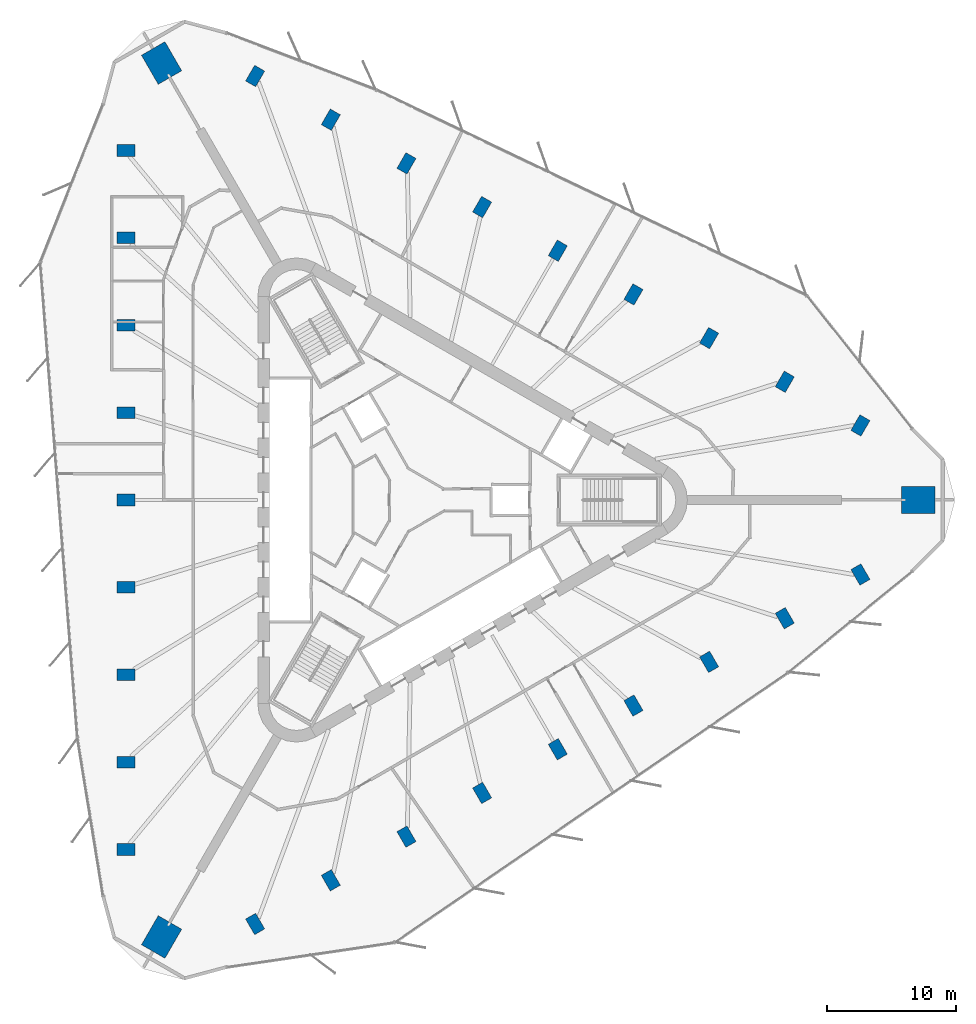
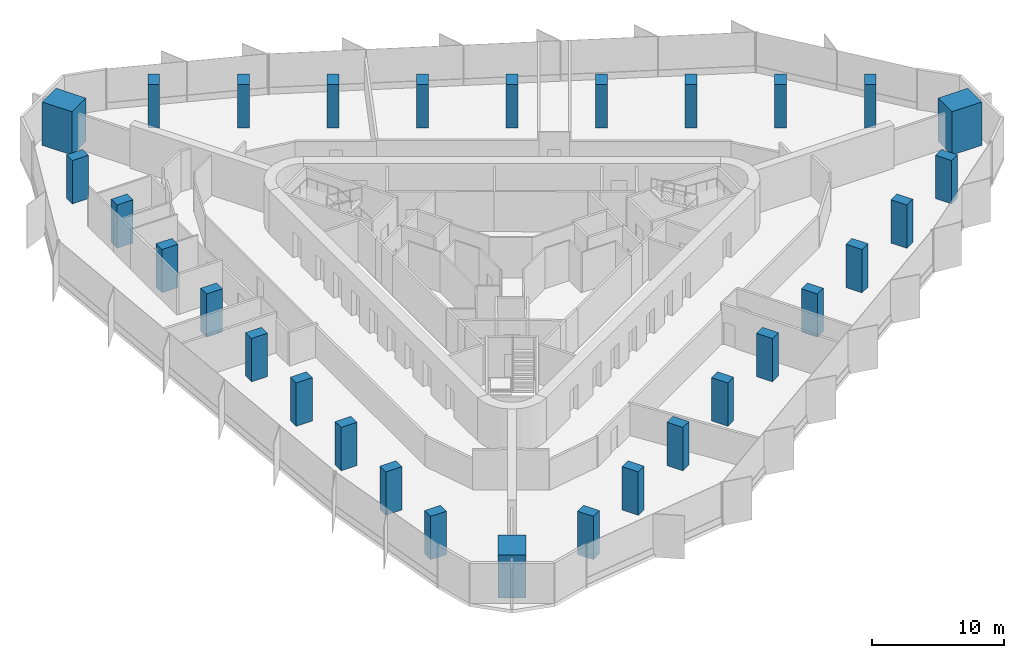
# One storey, part 1 of 13: 30 columns.
"""IFC4 building model written with IfcOpenShell, lengths in metres."""

from ifc_helpers import new_model, si_unit, direction, frame, origin, origin_2d, place, context, subcontext, project, spatial, rectangle, extrude, material, material_profile, profile_set, type_object, element, save


model = new_model("IFC4")

# Units and contexts
model_context = context("Model", 3, precision=1e-05, world=origin(), true_north=direction((0.0, 1.0)))
body_context = subcontext(model_context, "Body", "Model", "MODEL_VIEW")
ifc_project = project(units=[si_unit("LENGTHUNIT", "METRE"), si_unit("AREAUNIT", "SQUARE_METRE"), si_unit("VOLUMEUNIT", "CUBIC_METRE"), si_unit("PLANEANGLEUNIT", "RADIAN"), si_unit("MASSUNIT", "GRAM", prefix="KILO")], contexts=[model_context])

# Site, building, storey
site_placement = place(None, origin())
site = spatial("IfcSite", under=ifc_project, at=site_placement, CompositionType="ELEMENT")
building_placement = place(site_placement, origin())
building = spatial("IfcBuilding", under=site, at=building_placement, Name="Tanit Gate Tower", CompositionType="ELEMENT")
storey_placement = place(building_placement, frame((0.0, 0.0, 193.199951171875)))
storey = spatial("IfcBuildingStorey", under=building, at=storey_placement, Name="L42", CompositionType="ELEMENT", Elevation=193.199951171875)

# Columns
ifc_material_1 = material(Name="Concrete C60/75", Category="concrete")
ifc_material_profile_1 = material_profile(ifc_material_1, rectangle(XDim=2.60009765625, YDim=2.10009765625, at=origin_2d()), Name="RC 2600x2100")
ifc_profile_set_1 = profile_set([ifc_material_profile_1], Name="Concrete C60/75")
column_type_1 = type_object("IfcColumnType", Name="MEGA COLUMN 2600x2100 C60/75", PredefinedType="COLUMN", material=ifc_profile_set_1)
for number, where, z_axis, x_axis, name in (
    (1, (39.106689453125, 0.0, 0.0), (0.0, 0.0, 1.0), (1.0, 0.0, 0.0), "MEGA COLUMN"),
    (2, (-19.553466796875, 33.867431640625, 0.0), (0.0, 0.0, 1.0), (-0.5, 0.866025403784, 0.0), "MEGA COLUMN"),
    (3, (-19.553466796875, -33.867431640625, 0.0), (0.0, 0.0, 1.0), (-0.5, -0.866025403784, 0.0), "MEGA COLUMN"),
):
    element("IfcColumn", number, at=place(storey_placement, frame(where, z_axis=z_axis, x_axis=x_axis)), inside=storey, type_object=column_type_1, Name=name, PredefinedType="COLUMN", context=body_context, shape_type="SweptSolid", body=[
        extrude(rectangle(XDim=2.60009765625, YDim=2.10009765625, at=origin_2d()), origin(), (0.0, 0.0, 1.0), 4.0),
    ])
ifc_material_2 = material(Name="Concrete C50/60", Category="concrete")
ifc_material_profile_2 = material_profile(ifc_material_2, rectangle(XDim=1.39990234375, YDim=0.89990234375, at=origin_2d()), Name="RC 1400x900")
ifc_profile_set_2 = profile_set([ifc_material_profile_2], Name="Concrete C50/60")
column_type_2 = type_object("IfcColumnType", Name="PERIMETER COLUMN 1400x900 C50/60", PredefinedType="COLUMN", material=ifc_profile_set_2)
for number, where, z_axis, x_axis, name in (
    (4, (-22.305908203125, 27.083984375, 0.0), (0.0, 0.0, 1.0), (-1.0, 0.0, 0.0), "PERIMETER COLUMN"),
    (5, (-22.305908203125, 20.31298828125, 0.0), (0.0, 0.0, 1.0), (-1.0, 0.0, 0.0), "PERIMETER COLUMN"),
    (6, (-22.305908203125, 13.5419921875, 0.0), (0.0, 0.0, 1.0), (-1.0, 0.0, 0.0), "PERIMETER COLUMN"),
    (7, (-22.305908203125, 6.77099609375, 0.0), (0.0, 0.0, 1.0), (-1.0, 0.0, 0.0), "PERIMETER COLUMN"),
    (8, (-22.305908203125, 0.0, 0.0), (0.0, 0.0, 1.0), (-1.0, 0.0, 0.0), "PERIMETER COLUMN"),
    (9, (-22.305908203125, -6.77099609375, 0.0), (0.0, 0.0, 1.0), (-1.0, 0.0, 0.0), "PERIMETER COLUMN"),
    (10, (-22.305908203125, -13.5419921875, 0.0), (0.0, 0.0, 1.0), (-1.0, 0.0, 0.0), "PERIMETER COLUMN"),
    (11, (-22.305908203125, -20.31298828125, 0.0), (0.0, 0.0, 1.0), (-1.0, 0.0, 0.0), "PERIMETER COLUMN"),
    (12, (-22.305908203125, -27.083984375, 0.0), (0.0, 0.0, 1.0), (-1.0, 0.0, 0.0), "PERIMETER COLUMN"),
    (13, (34.6083984375, 5.775390625, 0.0), (0.0, 0.0, 1.0), (0.5, 0.866025403784, 0.0), "PERIMETER COLUMN"),
    (14, (28.744384765625, 9.160888671875, 0.0), (0.0, 0.0, 1.0), (0.5, 0.866025403784, 0.0), "PERIMETER COLUMN"),
    (15, (22.880615234375, 12.54638671875, 0.0), (0.0, 0.0, 1.0), (0.5, 0.866025403784, 0.0), "PERIMETER COLUMN"),
    (16, (17.016845703125, 15.931884765625, 0.0), (0.0, 0.0, 1.0), (0.5, 0.866025403784, 0.0), "PERIMETER COLUMN"),
    (17, (11.15283203125, 19.3173828125, 0.0), (0.0, 0.0, 1.0), (0.5, 0.866025403784, 0.0), "PERIMETER COLUMN"),
    (18, (5.2890625, 22.702880859375, 0.0), (0.0, 0.0, 1.0), (0.5, 0.866025403784, 0.0), "PERIMETER COLUMN"),
    (19, (-0.57470703125, 26.08837890625, 0.0), (0.0, 0.0, 1.0), (0.5, 0.866025403784, 0.0), "PERIMETER COLUMN"),
    (20, (-6.438720703125, 29.473876953125, 0.0), (0.0, 0.0, 1.0), (0.5, 0.866025403784, 0.0), "PERIMETER COLUMN"),
    (21, (-12.302490234375, 32.859375, 0.0), (0.0, 0.0, 1.0), (0.5, 0.866025403784, 0.0), "PERIMETER COLUMN"),
    (22, (-12.302490234375, -32.859375, 0.0), (0.0, 0.0, 1.0), (0.5, -0.866025403784, 0.0), "PERIMETER COLUMN"),
    (23, (-6.438720703125, -29.473876953125, 0.0), (0.0, 0.0, 1.0), (0.5, -0.866025403784, 0.0), "PERIMETER COLUMN"),
    (24, (-0.57470703125, -26.08837890625, 0.0), (0.0, 0.0, 1.0), (0.5, -0.866025403784, 0.0), "PERIMETER COLUMN"),
    (25, (5.2890625, -22.702880859375, 0.0), (0.0, 0.0, 1.0), (0.5, -0.866025403784, 0.0), "PERIMETER COLUMN"),
    (26, (11.15283203125, -19.3173828125, 0.0), (0.0, 0.0, 1.0), (0.5, -0.866025403784, 0.0), "PERIMETER COLUMN"),
    (27, (17.016845703125, -15.931884765625, 0.0), (0.0, 0.0, 1.0), (0.5, -0.866025403784, 0.0), "PERIMETER COLUMN"),
    (28, (22.880615234375, -12.54638671875, 0.0), (0.0, 0.0, 1.0), (0.5, -0.866025403784, 0.0), "PERIMETER COLUMN"),
    (29, (28.744384765625, -9.160888671875, 0.0), (0.0, 0.0, 1.0), (0.5, -0.866025403784, 0.0), "PERIMETER COLUMN"),
    (30, (34.6083984375, -5.775390625, 0.0), (0.0, 0.0, 1.0), (0.5, -0.866025403784, 0.0), "PERIMETER COLUMN"),
):
    element("IfcColumn", number, at=place(storey_placement, frame(where, z_axis=z_axis, x_axis=x_axis)), inside=storey, type_object=column_type_2, Name=name, PredefinedType="COLUMN", context=body_context, shape_type="SweptSolid", body=[
        extrude(rectangle(XDim=1.39990234375, YDim=0.89990234375, at=origin_2d()), origin(), (0.0, 0.0, 1.0), 4.0),
    ])

save(model, "model.ifc")
